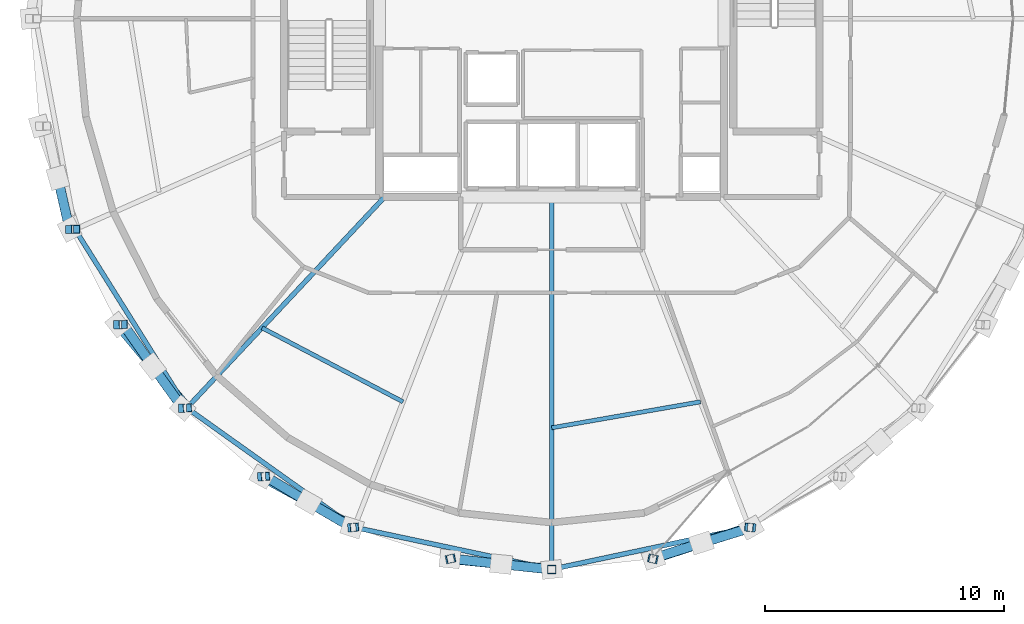
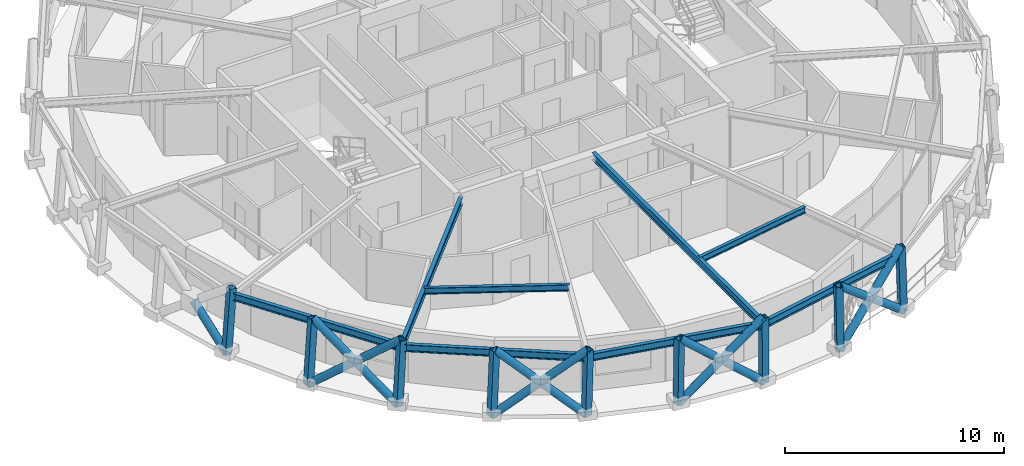
# One storey, part 1 of 15: 22 members, 8 beams.
"""IFC4 building model written with IfcOpenShell, lengths in metres."""

from ifc_helpers import new_model, si_unit, direction, frame, origin, origin_2d, place, context, subcontext, project, spatial, hollow_rectangle, hollow_circle, i_section, extrude, material, material_profile, profile_set, type_object, element, save


model = new_model("IFC4")

# Units and contexts
model_context = context("Model", 3, precision=1e-05, world=origin(), true_north=direction((0.0, 1.0)))
body_context = subcontext(model_context, "Body", "Model", "MODEL_VIEW")
ifc_project = project(units=[si_unit("LENGTHUNIT", "METRE"), si_unit("AREAUNIT", "SQUARE_METRE"), si_unit("VOLUMEUNIT", "CUBIC_METRE"), si_unit("PLANEANGLEUNIT", "RADIAN"), si_unit("MASSUNIT", "GRAM", prefix="KILO")], contexts=[model_context])

# Site, building, storey
site_placement = place(None, origin())
site = spatial("IfcSite", under=ifc_project, at=site_placement, CompositionType="ELEMENT")
building_placement = place(site_placement, origin())
building = spatial("IfcBuilding", under=site, at=building_placement, Name="Veldorina Hangang Commons", CompositionType="ELEMENT")
storey_placement = place(building_placement, frame((0.0, 0.0, 265.199951171875)))
storey = spatial("IfcBuildingStorey", under=building, at=storey_placement, Name="L69", CompositionType="ELEMENT", Elevation=265.199951171875)

# Beams
ifc_material = material(Name="Steel SM355-TMC", Category="steel")
ifc_material_profile_1 = material_profile(ifc_material, i_section(OverallWidth=0.199951171875, OverallDepth=0.39990234375, WebThickness=0.008056640625, FlangeThickness=0.012939453125, FilletRadius=0.012939453125, at=origin_2d()), Name="H-400x200x8x13")
ifc_profile_set_1 = profile_set([ifc_material_profile_1], Name="Steel SM355-TMC")
beam_type_1 = type_object("IfcBeamType", Name="BM-FG400", PredefinedType="BEAM", material=ifc_profile_set_1)
beam_1_placement = place(storey_placement, frame((25.018798828125, 16.550048828125, 3.16015625), z_axis=(-0.683768962907, -0.729698571579, 0.0), x_axis=(0.729698571579, -0.683768962907, 0.0)))
element("IfcBeam", 1, at=beam_1_placement, inside=storey, type_object=beam_type_1, Name="L69 radial floor girder 11", PredefinedType="BEAM", context=body_context, shape_type="SweptSolid", body=[
    extrude(i_section(OverallWidth=0.199951171875, OverallDepth=0.39990234375, WebThickness=0.008056640625, FlangeThickness=0.012939453125, FilletRadius=0.012939453125, at=origin_2d()), origin(), (0.0, 0.0, 1.0), 12.076904296875),
])
beam_2_placement = place(storey_placement, frame((32.0, 16.550048828125, 3.16015625), z_axis=(0.0, -1.0, 0.0), x_axis=(1.0, 0.0, 0.0)))
element("IfcBeam", 2, at=beam_2_placement, inside=storey, type_object=beam_type_1, Name="L69 radial floor girder 13", PredefinedType="BEAM", context=body_context, shape_type="SweptSolid", body=[
    extrude(i_section(OverallWidth=0.199951171875, OverallDepth=0.39990234375, WebThickness=0.008056640625, FlangeThickness=0.012939453125, FilletRadius=0.012939453125, at=origin_2d()), origin(), (0.0, 0.0, 1.0), 15.548583984375),
])
ifc_material_profile_2 = material_profile(ifc_material, i_section(OverallWidth=0.175048828125, OverallDepth=0.35009765625, WebThickness=0.007080078125, FlangeThickness=0.010986328125, FilletRadius=0.012939453125, at=origin_2d()), Name="H-350x175x7x11")
ifc_profile_set_2 = profile_set([ifc_material_profile_2], Name="Steel SM355-TMC")
beam_type_2 = type_object("IfcBeamType", Name="BM-JST350", PredefinedType="JOIST", material=ifc_profile_set_2)
beam_3_placement = place(storey_placement, frame((19.899169921875, 11.086181640625, 3.18505859375), z_axis=(0.885443223956, -0.464747562823, 0.0), x_axis=(0.464747562823, 0.885443223956, 0.0)))
element("IfcBeam", 3, at=beam_3_placement, inside=storey, type_object=beam_type_2, Name="L69 secondary floor joist 11", PredefinedType="JOIST", context=body_context, shape_type="SweptSolid", body=[
    extrude(i_section(OverallWidth=0.175048828125, OverallDepth=0.35009765625, WebThickness=0.007080078125, FlangeThickness=0.010986328125, FilletRadius=0.012939453125, at=origin_2d()), origin(), (0.0, 0.0, 1.0), 6.650634765625),
])
beam_4_placement = place(storey_placement, frame((32.0, 6.909912109375, 3.18505859375), z_axis=(0.98507562693, 0.172122076531, 0.0), x_axis=(-0.172122076531, 0.98507562693, 0.0)))
element("IfcBeam", 4, at=beam_4_placement, inside=storey, type_object=beam_type_2, Name="L69 secondary floor joist 13", PredefinedType="JOIST", context=body_context, shape_type="SweptSolid", body=[
    extrude(i_section(OverallWidth=0.175048828125, OverallDepth=0.35009765625, WebThickness=0.007080078125, FlangeThickness=0.010986328125, FilletRadius=0.012939453125, at=origin_2d()), origin(), (0.0, 0.0, 1.0), 6.306396484375),
])
ifc_material_profile_3 = material_profile(ifc_material, i_section(OverallWidth=0.199951171875, OverallDepth=0.39990234375, WebThickness=0.008056640625, FlangeThickness=0.012939453125, FilletRadius=0.012939453125, at=origin_2d()), Name="H-400x200x8x13")
ifc_profile_set_3 = profile_set([ifc_material_profile_3], Name="Steel SM355-TMC")
beam_type_3 = type_object("IfcBeamType", Name="BM-RB400", PredefinedType="BEAM", material=ifc_profile_set_3)
beam_5_placement = place(storey_placement, frame((12.089599609375, 15.19873046875, 3.16015625), z_axis=(0.530664395291, -0.847582031175, 0.0), x_axis=(0.847582031175, 0.530664395291, 0.0)))
element("IfcBeam", 5, at=beam_5_placement, inside=storey, type_object=beam_type_3, Name="L69 perimeter hoop ring beam 18", PredefinedType="BEAM", context=body_context, shape_type="SweptSolid", body=[
    extrude(i_section(OverallWidth=0.199951171875, OverallDepth=0.39990234375, WebThickness=0.008056640625, FlangeThickness=0.012939453125, FilletRadius=0.012939453125, at=origin_2d()), origin(), (0.0, 0.0, 1.0), 8.802978515625),
])
beam_6_placement = place(storey_placement, frame((16.760986328125, 7.737548828125, 3.16015625), z_axis=(0.814213450629, -0.580565635234, 0.0), x_axis=(0.580565635234, 0.814213450629, 0.0)))
element("IfcBeam", 6, at=beam_6_placement, inside=storey, type_object=beam_type_3, Name="L69 perimeter hoop ring beam 20", PredefinedType="BEAM", context=body_context, shape_type="SweptSolid", body=[
    extrude(i_section(OverallWidth=0.199951171875, OverallDepth=0.39990234375, WebThickness=0.008056640625, FlangeThickness=0.012939453125, FilletRadius=0.012939453125, at=origin_2d()), origin(), (0.0, 0.0, 1.0), 8.587158203125),
])
for number, where, z_axis, x_axis, name in (
    (7, (23.752685546875, 2.752197265625, 3.16015625), (0.978202764857, -0.207651994517, 0.0), (0.207651994517, 0.978202764857, 0.0), "L69 perimeter hoop ring beam 22"),
    (8, (32.0, 1.00146484375, 3.16015625), (0.978202764857, 0.207651994517, 0.0), (-0.207651994517, 0.978202764857, 0.0), "L69 perimeter hoop ring beam 24"),
):
    element("IfcBeam", number, at=place(storey_placement, frame(where, z_axis=z_axis, x_axis=x_axis)), inside=storey, type_object=beam_type_3, Name=name, PredefinedType="BEAM", context=body_context, shape_type="SweptSolid", body=[
        extrude(i_section(OverallWidth=0.199951171875, OverallDepth=0.39990234375, WebThickness=0.008056640625, FlangeThickness=0.012939453125, FilletRadius=0.012939453125, at=origin_2d()), origin(), (0.0, 0.0, 1.0), 8.43115234375),
    ])

# Members
ifc_material_profile_4 = material_profile(ifc_material, hollow_circle(Radius=0.199951171875, WallThickness=0.02001953125, at=origin_2d()), Name="CHS-400x20")
ifc_profile_set_4 = profile_set([ifc_material_profile_4], Name="Steel SM355-TMC")
member_type_1 = type_object("IfcMemberType", Name="DG-CHS400", PredefinedType="BRACE", material=ifc_profile_set_4)
member_1_placement = place(storey_placement, frame((11.86279296875, 15.19482421875, 0.0), z_axis=(-0.171847790572, 0.756421111014, 0.63110652008), x_axis=(-0.975151267501, -0.221540076491, 0.0)))
element("IfcMember", 9, at=member_1_placement, inside=storey, type_object=member_type_1, Name="L69 split perimeter diagrid lower brace 18", PredefinedType="BRACE", context=body_context, shape_type="SweptSolid", body=[
    extrude(hollow_circle(Radius=0.199951171875, WallThickness=0.02001953125, at=origin_2d()), origin(), (0.0, 0.0, 1.0), 2.854248046875),
])
member_2_placement = place(storey_placement, frame((13.876953125, 11.216796875, 0.0), z_axis=(0.502379875389, -0.600764182388, 0.621849546083), x_axis=(0.767125531643, 0.64149701379, 0.0)))
element("IfcMember", 10, at=member_2_placement, inside=storey, type_object=member_type_1, Name="L69 continuous perimeter diagrid brace 19", PredefinedType="BRACE", context=body_context, shape_type="SweptSolid", body=[
    extrude(hollow_circle(Radius=0.199951171875, WallThickness=0.02001953125, at=origin_2d()), origin(), (0.0, 0.0, 1.0), 5.789306640625),
])
member_3_placement = place(storey_placement, frame((16.587646484375, 7.72998046875, 0.0), z_axis=(-0.446659328209, 0.621632091745, 0.643481924405), x_axis=(-0.812101259491, -0.583516533042, 0.0)))
element("IfcMember", 11, at=member_3_placement, inside=storey, type_object=member_type_1, Name="L69 split perimeter diagrid lower brace 20", PredefinedType="BRACE", context=body_context, shape_type="SweptSolid", body=[
    extrude(hollow_circle(Radius=0.199951171875, WallThickness=0.02001953125, at=origin_2d()), origin(), (0.0, 0.0, 1.0), 2.8046875),
])
member_4_placement = place(storey_placement, frame((15.3349609375, 9.473388671875, 1.8046875), z_axis=(-0.439142369343, 0.627133793988, 0.643317327519), x_axis=(-0.819140654322, -0.573592702566, 0.0)))
element("IfcMember", 12, at=member_4_placement, inside=storey, type_object=member_type_1, Name="L69 split perimeter diagrid upper brace 20", PredefinedType="BRACE", context=body_context, shape_type="SweptSolid", body=[
    extrude(hollow_circle(Radius=0.199951171875, WallThickness=0.02001953125, at=origin_2d()), origin(), (0.0, 0.0, 1.0), 2.790771484375),
])
member_5_placement = place(storey_placement, frame((19.890625, 4.86865234375, 0.0), z_axis=(0.680260747937, -0.371308455876, 0.631961506273), x_axis=(0.479107822766, 0.877756056182, 0.0)))
element("IfcMember", 13, at=member_5_placement, inside=storey, type_object=member_type_1, Name="L69 continuous perimeter diagrid brace 21", PredefinedType="BRACE", context=body_context, shape_type="SweptSolid", body=[
    extrude(hollow_circle(Radius=0.199951171875, WallThickness=0.02001953125, at=origin_2d()), origin(), (0.0, 0.0, 1.0), 5.69677734375),
])
member_6_placement = place(storey_placement, frame((23.658935546875, 2.742431640625, 0.0), z_axis=(-0.655447400539, 0.382776361007, 0.651053732484), x_axis=(-0.504295655864, -0.863531059938, 0.0)))
element("IfcMember", 14, at=member_6_placement, inside=storey, type_object=member_type_1, Name="L69 split perimeter diagrid lower brace 22", PredefinedType="BRACE", context=body_context, shape_type="SweptSolid", body=[
    extrude(hollow_circle(Radius=0.199951171875, WallThickness=0.02001953125, at=origin_2d()), origin(), (0.0, 0.0, 1.0), 2.7783203125),
])
member_7_placement = place(storey_placement, frame((21.837890625, 3.805908203125, 1.808837890625), z_axis=(-0.651282743022, 0.389882339624, 0.651016551165), x_axis=(-0.513635975997, -0.858008207514, 0.0)))
element("IfcMember", 15, at=member_7_placement, inside=storey, type_object=member_type_1, Name="L69 split perimeter diagrid upper brace 22", PredefinedType="BRACE", context=body_context, shape_type="SweptSolid", body=[
    extrude(hollow_circle(Radius=0.199951171875, WallThickness=0.02001953125, at=origin_2d()), origin(), (0.0, 0.0, 1.0), 2.75146484375),
])
member_8_placement = place(storey_placement, frame((27.747802734375, 1.43310546875, 0.0), z_axis=(0.760937027967, -0.076980596158, 0.644242832543), x_axis=(0.100651780554, 0.994921715047, 0.0)))
element("IfcMember", 16, at=member_8_placement, inside=storey, type_object=member_type_1, Name="L69 continuous perimeter diagrid brace 23", PredefinedType="BRACE", context=body_context, shape_type="SweptSolid", body=[
    extrude(hollow_circle(Radius=0.199951171875, WallThickness=0.02001953125, at=origin_2d()), origin(), (0.0, 0.0, 1.0), 5.588134765625),
])
member_9_placement = place(storey_placement, frame((32.0, 0.990966796875, 0.0), z_axis=(-0.7566384803, 0.080796712793, 0.64882208758), x_axis=(-0.106180116419, -0.994346912741, 0.0)))
element("IfcMember", 17, at=member_9_placement, inside=storey, type_object=member_type_1, Name="L69 split perimeter diagrid lower brace 24", PredefinedType="BRACE", context=body_context, shape_type="SweptSolid", body=[
    extrude(hollow_circle(Radius=0.199951171875, WallThickness=0.02001953125, at=origin_2d()), origin(), (0.0, 0.0, 1.0), 2.7919921875),
])
member_10_placement = place(storey_placement, frame((29.887451171875, 1.216552734375, 1.8115234375), z_axis=(-0.756423898709, 0.082807205865, 0.648818813013), x_axis=(-0.108821834373, -0.994061269924, 0.0)))
element("IfcMember", 18, at=member_10_placement, inside=storey, type_object=member_type_1, Name="L69 split perimeter diagrid upper brace 24", PredefinedType="BRACE", context=body_context, shape_type="SweptSolid", body=[
    extrude(hollow_circle(Radius=0.199951171875, WallThickness=0.02001953125, at=origin_2d()), origin(), (0.0, 0.0, 1.0), 2.756591796875),
])
member_11_placement = place(storey_placement, frame((36.252197265625, 1.43310546875, 0.0), z_axis=(0.720309767154, 0.238837229967, 0.6512377576), x_axis=(-0.314725903923, 0.949182598555, 0.0)))
element("IfcMember", 19, at=member_11_placement, inside=storey, type_object=member_type_1, Name="L69 continuous perimeter diagrid brace 25", PredefinedType="BRACE", context=body_context, shape_type="SweptSolid", body=[
    extrude(hollow_circle(Radius=0.199951171875, WallThickness=0.02001953125, at=origin_2d()), origin(), (0.0, 0.0, 1.0), 5.528076171875),
])
member_12_placement = place(storey_placement, frame((40.341064453125, 2.742431640625, 0.0), z_axis=(-0.735437784504, -0.22747361784, 0.638268766516), x_axis=(0.29549181422, -0.955345271475, 0.0)))
element("IfcMember", 20, at=member_12_placement, inside=storey, type_object=member_type_1, Name="L69 split perimeter diagrid lower brace 26", PredefinedType="BRACE", context=body_context, shape_type="SweptSolid", body=[
    extrude(hollow_circle(Radius=0.199951171875, WallThickness=0.02001953125, at=origin_2d()), origin(), (0.0, 0.0, 1.0), 2.836669921875),
])
member_13_placement = place(storey_placement, frame((38.2548828125, 2.09716796875, 1.810546875), z_axis=(-0.733761810049, -0.232685919351, 0.63831878325), x_axis=(0.302278960894, -0.953219507669, 0.0)))
element("IfcMember", 21, at=member_13_placement, inside=storey, type_object=member_type_1, Name="L69 split perimeter diagrid upper brace 26", PredefinedType="BRACE", context=body_context, shape_type="SweptSolid", body=[
    extrude(hollow_circle(Radius=0.199951171875, WallThickness=0.02001953125, at=origin_2d()), origin(), (0.0, 0.0, 1.0), 2.803466796875),
])
ifc_material_profile_5 = material_profile(ifc_material, hollow_rectangle(XDim=0.35009765625, YDim=0.35009765625, WallThickness=0.01611328125, at=origin_2d()), Name="SHS-350x350x16")
ifc_profile_set_5 = profile_set([ifc_material_profile_5], Name="Steel SM355-TMC")
member_type_2 = type_object("IfcMemberType", Name="STR-SHS350", PredefinedType="STRUT", material=ifc_profile_set_5)
member_14_placement = place(storey_placement, frame((11.86279296875, 15.19482421875, 0.0), z_axis=(0.071564248181, 0.00128518026, 0.997435164156), x_axis=(-0.017955516964, 0.99983878671, 0.0)))
element("IfcMember", 22, at=member_14_placement, inside=storey, type_object=member_type_2, Name="L69 perimeter ring node post 18", PredefinedType="STRUT", context=body_context, shape_type="SweptSolid", body=[
    extrude(hollow_rectangle(XDim=0.35009765625, YDim=0.35009765625, WallThickness=0.01611328125, at=origin_2d()), origin(), (0.0, 0.0, 1.0), 3.609375),
])
member_15_placement = place(storey_placement, frame((13.876953125, 11.216796875, 0.0), z_axis=(0.064425642018, 0.001894871824, 0.997920711335), x_axis=(-0.029399051602, 0.999567754464, 0.0)))
element("IfcMember", 23, at=member_15_placement, inside=storey, type_object=member_type_2, Name="L69 perimeter ring node post 19", PredefinedType="STRUT", context=body_context, shape_type="SweptSolid", body=[
    extrude(hollow_rectangle(XDim=0.35009765625, YDim=0.35009765625, WallThickness=0.01611328125, at=origin_2d()), origin(), (0.0, 0.0, 1.0), 3.607666015625),
])
member_16_placement = place(storey_placement, frame((16.587646484375, 7.72998046875, 0.0), z_axis=(0.054847303698, 0.002437657942, 0.998491778184), x_axis=(-0.044400613621, 0.999013806466, 0.0)))
element("IfcMember", 24, at=member_16_placement, inside=storey, type_object=member_type_2, Name="L69 perimeter ring node post 20", PredefinedType="STRUT", context=body_context, shape_type="SweptSolid", body=[
    extrude(hollow_rectangle(XDim=0.35009765625, YDim=0.35009765625, WallThickness=0.01611328125, at=origin_2d()), origin(), (0.0, 0.0, 1.0), 3.60546875),
])
member_17_placement = place(storey_placement, frame((19.890625, 4.86865234375, 0.0), z_axis=(0.043090113968, 0.002777821812, 0.999067327954), x_axis=(-0.064331872556, 0.997928559654, 0.0)))
element("IfcMember", 25, at=member_17_placement, inside=storey, type_object=member_type_2, Name="L69 perimeter ring node post 21", PredefinedType="STRUT", context=body_context, shape_type="SweptSolid", body=[
    extrude(hollow_rectangle(XDim=0.35009765625, YDim=0.35009765625, WallThickness=0.01611328125, at=origin_2d()), origin(), (0.0, 0.0, 1.0), 3.603515625),
])
member_18_placement = place(storey_placement, frame((23.658935546875, 2.742431640625, 0.0), z_axis=(0.02968973787, 0.003050315535, 0.999554508289), x_axis=(-0.102201749155, 0.994763691773, 0.0)))
element("IfcMember", 26, at=member_18_placement, inside=storey, type_object=member_type_2, Name="L69 perimeter ring node post 22", PredefinedType="STRUT", context=body_context, shape_type="SweptSolid", body=[
    extrude(hollow_rectangle(XDim=0.35009765625, YDim=0.35009765625, WallThickness=0.01611328125, at=origin_2d()), origin(), (0.0, 0.0, 1.0), 3.601806640625),
])
member_19_placement = place(storey_placement, frame((27.747802734375, 1.43310546875, 0.0), z_axis=(0.015120936091, 0.003254730638, 0.999880374855), x_axis=(-0.210427165066, 0.9776095377, 0.0)))
element("IfcMember", 27, at=member_19_placement, inside=storey, type_object=member_type_2, Name="L69 perimeter ring node post 23", PredefinedType="STRUT", context=body_context, shape_type="SweptSolid", body=[
    extrude(hollow_rectangle(XDim=0.35009765625, YDim=0.35009765625, WallThickness=0.01611328125, at=origin_2d()), origin(), (0.0, 0.0, 1.0), 3.6005859375),
])
member_20_placement = place(storey_placement, frame((32.0, 0.990966796875, 0.0), z_axis=(0.0, 0.003322916688, 0.999994479097), x_axis=(-1.0, 0.0, 0.0)))
element("IfcMember", 28, at=member_20_placement, inside=storey, type_object=member_type_2, Name="L69 perimeter ring node post 24", PredefinedType="STRUT", context=body_context, shape_type="SweptSolid", body=[
    extrude(hollow_rectangle(XDim=0.35009765625, YDim=0.35009765625, WallThickness=0.01611328125, at=origin_2d()), origin(), (0.0, 0.0, 1.0), 3.60009765625),
])
member_21_placement = place(storey_placement, frame((36.252197265625, 1.43310546875, 0.0), z_axis=(-0.015120936091, 0.003254730638, 0.999880374855), x_axis=(-0.210427165066, -0.9776095377, 0.0)))
element("IfcMember", 29, at=member_21_placement, inside=storey, type_object=member_type_2, Name="L69 perimeter ring node post 25", PredefinedType="STRUT", context=body_context, shape_type="SweptSolid", body=[
    extrude(hollow_rectangle(XDim=0.35009765625, YDim=0.35009765625, WallThickness=0.01611328125, at=origin_2d()), origin(), (0.0, 0.0, 1.0), 3.6005859375),
])
member_22_placement = place(storey_placement, frame((40.341064453125, 2.742431640625, 0.0), z_axis=(-0.02968973787, 0.003050315535, 0.999554508289), x_axis=(-0.102201749155, -0.994763691773, 0.0)))
element("IfcMember", 30, at=member_22_placement, inside=storey, type_object=member_type_2, Name="L69 perimeter ring node post 26", PredefinedType="STRUT", context=body_context, shape_type="SweptSolid", body=[
    extrude(hollow_rectangle(XDim=0.35009765625, YDim=0.35009765625, WallThickness=0.01611328125, at=origin_2d()), origin(), (0.0, 0.0, 1.0), 3.601806640625),
])

save(model, "model.ifc")
